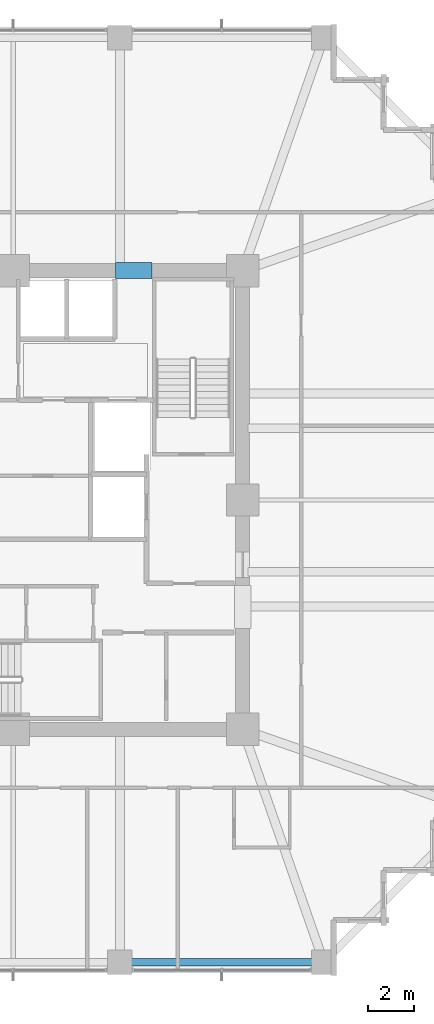
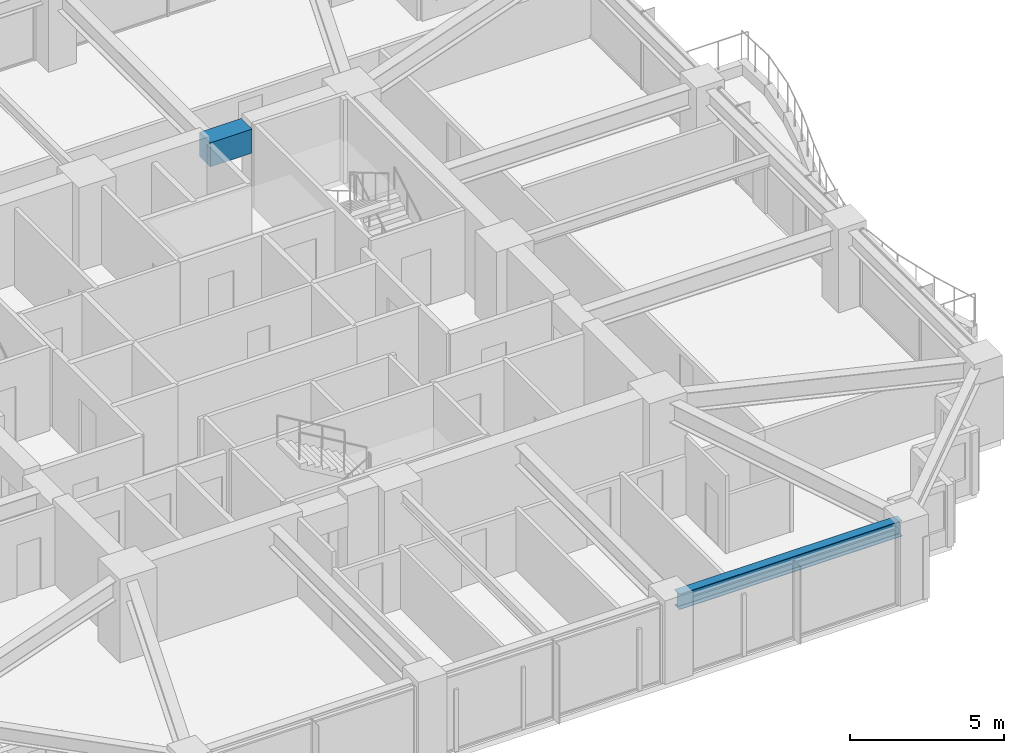
# One storey, part 11 of 36: 2 beams.
"""IFC4 building model written with IfcOpenShell, lengths in metres."""

from ifc_helpers import new_model, si_unit, direction, frame, origin, origin_2d, place, context, subcontext, project, spatial, rectangle, i_section, extrude, material, material_profile, profile_set, type_object, element, save


model = new_model("IFC4")

# Units and contexts
model_context = context("Model", 3, precision=1e-05, world=origin(), true_north=direction((0.0, 1.0)))
body_context = subcontext(model_context, "Body", "Model", "MODEL_VIEW")
ifc_project = project(units=[si_unit("LENGTHUNIT", "METRE"), si_unit("AREAUNIT", "SQUARE_METRE"), si_unit("VOLUMEUNIT", "CUBIC_METRE"), si_unit("PLANEANGLEUNIT", "RADIAN"), si_unit("MASSUNIT", "GRAM", prefix="KILO")], contexts=[model_context])

# Site, building, storey
site_placement = place(None, origin())
site = spatial("IfcSite", under=ifc_project, at=site_placement, CompositionType="ELEMENT")
building_placement = place(site_placement, origin())
building = spatial("IfcBuilding", under=site, at=building_placement, Name="Kolvaren Belvedere", CompositionType="ELEMENT")
storey_placement = place(building_placement, frame((0.0, 0.0, 88.699951171875)))
storey = spatial("IfcBuildingStorey", under=building, at=storey_placement, Name="L25", CompositionType="ELEMENT", Elevation=88.699951171875)

# Beams
ifc_material_1 = material(Name="Concrete C60/75", Category="concrete")
ifc_material_profile_1 = material_profile(ifc_material_1, rectangle(XDim=0.699951171875, YDim=0.949951171875, at=origin_2d()), Name="RC 700X950")
ifc_profile_set_1 = profile_set([ifc_material_profile_1], Name="Concrete C60/75")
beam_type_1 = type_object("IfcBeamType", Name="BM-LINT-950", PredefinedType="LINTEL", material=ifc_profile_set_1)
beam_1_placement = place(storey_placement, frame((4.419921875, 9.89990234375, 2.60498046875), z_axis=(1.0, 0.0, 0.0), x_axis=(0.0, 1.0, 0.0)))
element("IfcBeam", 1, at=beam_1_placement, inside=storey, type_object=beam_type_1, Name="L25 North Core Coupling Lintel", PredefinedType="LINTEL", context=body_context, shape_type="SweptSolid", body=[
    extrude(rectangle(XDim=0.699951171875, YDim=0.949951171875, at=origin_2d()), origin(), (0.0, 0.0, 1.0), 1.56005859375),
])
ifc_material_2 = material(Name="Structural steel ASTM A992 Grade 50", Category="steel")
ifc_material_profile_2 = material_profile(ifc_material_2, i_section(OverallWidth=0.324951171875, OverallDepth=0.615966796875, WebThickness=0.013916015625, FlangeThickness=0.021484375, FilletRadius=0.02001953125, at=origin_2d()), Name="W24X117")
ifc_profile_set_2 = profile_set([ifc_material_profile_2], Name="Structural steel ASTM A992 Grade 50")
beam_type_2 = type_object("IfcBeamType", Name="BM-SPAN-W24X117", PredefinedType="SPANDREL", material=ifc_profile_set_2)
beam_2_placement = place(storey_placement, frame((4.836181640625, -19.949951171875, 2.77197265625), z_axis=(1.0, 0.0, 0.0), x_axis=(0.0, 1.0, 0.0)))
element("IfcBeam", 2, at=beam_2_placement, inside=storey, type_object=beam_type_2, Name="L25 Perimeter Spandrel S3-S4", PredefinedType="SPANDREL", context=body_context, shape_type="SweptSolid", body=[
    extrude(i_section(OverallWidth=0.324951171875, OverallDepth=0.615966796875, WebThickness=0.013916015625, FlangeThickness=0.021484375, FilletRadius=0.02001953125, at=origin_2d()), origin(), (0.0, 0.0, 1.0), 8.32763671875),
])

save(model, "model.ifc")
